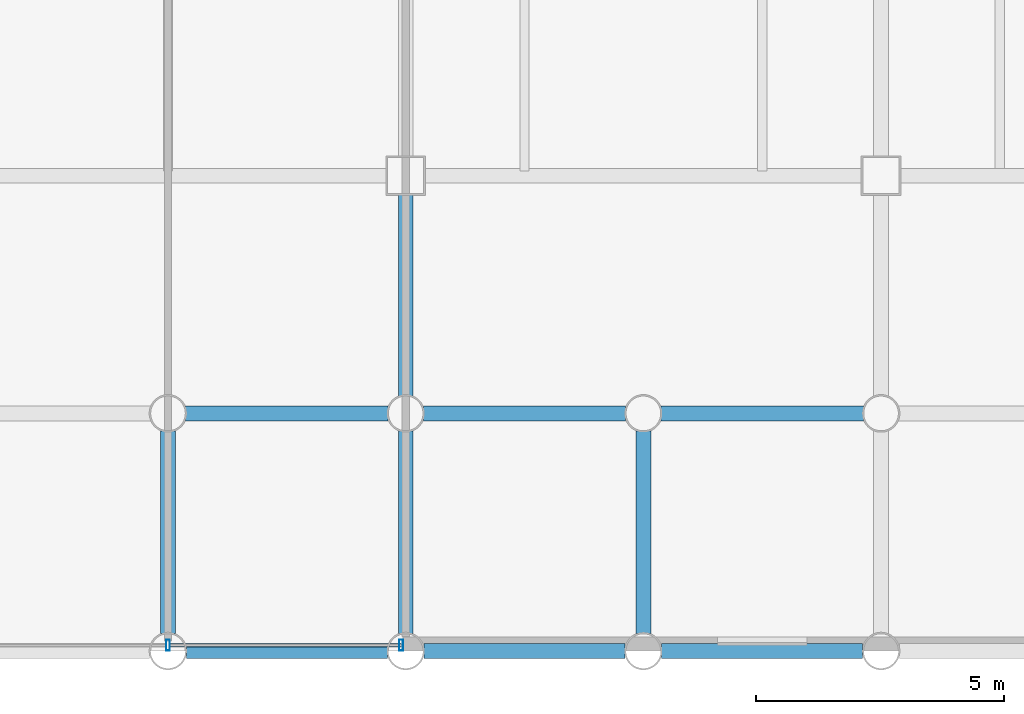
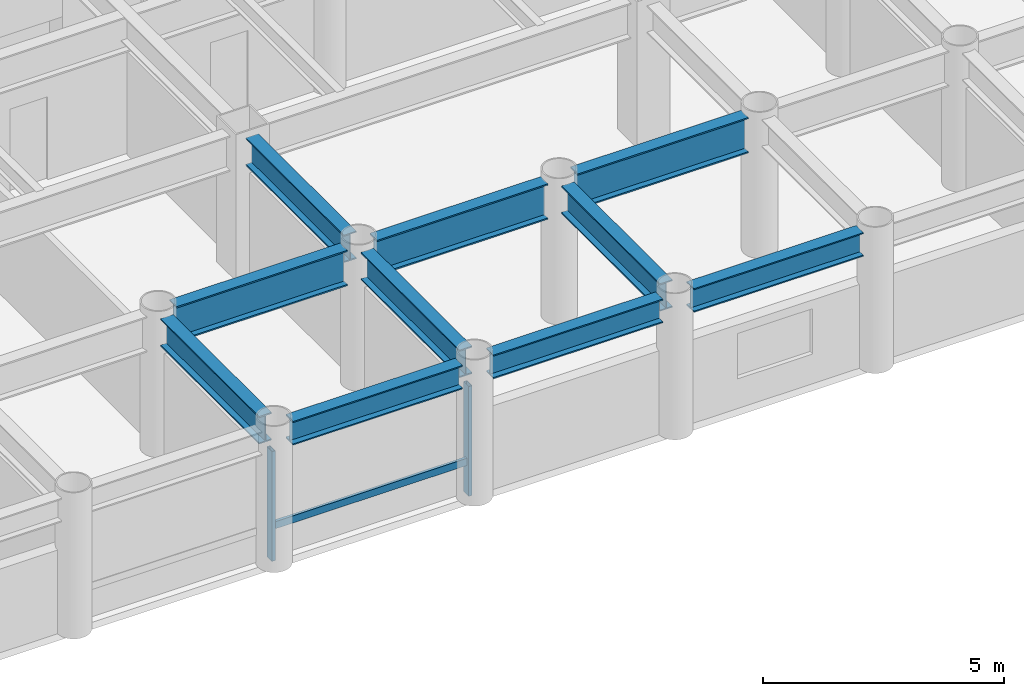
# One storey, part 6 of 21: 10 beams, 3 members, 1 element without a shape of its own.
"""IFC4 building model written with IfcOpenShell, lengths in metres."""

from ifc_helpers import new_model, si_unit, direction, frame, origin, origin_2d, place, context, subcontext, project, spatial, hollow_rectangle, i_section, extrude, material, layer, layer_set, material_profile, profile_set, type_object, element, aggregate, save


model = new_model("IFC4")

# Units and contexts
model_context = context("Model", 3, precision=1e-05, world=origin(), true_north=direction((0.0, 1.0)))
body_context = subcontext(model_context, "Body", "Model", "MODEL_VIEW")
ifc_project = project(units=[si_unit("LENGTHUNIT", "METRE"), si_unit("AREAUNIT", "SQUARE_METRE"), si_unit("VOLUMEUNIT", "CUBIC_METRE"), si_unit("PLANEANGLEUNIT", "RADIAN"), si_unit("MASSUNIT", "GRAM", prefix="KILO")], contexts=[model_context])

# Site, building, storey
site_placement = place(None, origin())
site = spatial("IfcSite", under=ifc_project, at=site_placement, CompositionType="ELEMENT")
building_placement = place(site_placement, origin())
building = spatial("IfcBuilding", under=site, at=building_placement, Name="Kallvorn Hotel Tower", CompositionType="ELEMENT")
storey_placement = place(building_placement, frame((0.0, 0.0, 52.199951171875)))
storey = spatial("IfcBuildingStorey", under=building, at=storey_placement, Name="L11", CompositionType="ELEMENT", Elevation=52.199951171875)

# Beams
ifc_material_1 = material(Name="Structural steel S355JR", Category="steel")
ifc_material_profile_1 = material_profile(ifc_material_1, i_section(OverallWidth=0.300048828125, OverallDepth=0.60009765625, WebThickness=0.015380859375, FlangeThickness=0.030029296875, at=origin_2d()), Name="HE 600 B")
ifc_profile_set_1 = profile_set([ifc_material_profile_1], Name="Structural steel S355JR")
beam_type_1 = type_object("IfcBeamType", Name="BM_HE600B", PredefinedType="SPANDREL", material=ifc_profile_set_1)
beam_1_placement = place(storey_placement, frame((0.37109375, -24.0, 3.219970703125), z_axis=(1.0, 0.0, 0.0), x_axis=(0.0, 1.0, 0.0)))
element("IfcBeam", 1, at=beam_1_placement, inside=storey, type_object=beam_type_1, Name="L12 Perimeter Spandrel 157", PredefinedType="SPANDREL", context=body_context, shape_type="SweptSolid", body=[
    extrude(i_section(OverallWidth=0.300048828125, OverallDepth=0.60009765625, WebThickness=0.015380859375, FlangeThickness=0.030029296875, at=origin_2d()), origin(), (0.0, 0.0, 1.0), 4.057861328125),
])
for number, where, z_axis, x_axis, name in (
    (2, (5.1708984375, -24.0, 3.219970703125), (1.0, 0.0, 0.0), (0.0, 1.0, 0.0), "L12 Perimeter Spandrel 158"),
    (3, (9.970947265625, -24.0, 3.219970703125), (1.0, 0.0, 0.0), (0.0, 1.0, 0.0), "L12 Perimeter Spandrel 159"),
):
    element("IfcBeam", number, at=place(storey_placement, frame(where, z_axis=z_axis, x_axis=x_axis)), inside=storey, type_object=beam_type_1, Name=name, PredefinedType="SPANDREL", context=body_context, shape_type="SweptSolid", body=[
        extrude(i_section(OverallWidth=0.300048828125, OverallDepth=0.60009765625, WebThickness=0.015380859375, FlangeThickness=0.030029296875, at=origin_2d()), origin(), (0.0, 0.0, 1.0), 4.05810546875),
    ])
ifc_material_2 = material(Name="Structural steel S355JR", Category="steel")
ifc_material_profile_2 = material_profile(ifc_material_2, i_section(OverallWidth=0.300048828125, OverallDepth=0.699951171875, WebThickness=0.01708984375, FlangeThickness=0.031982421875, at=origin_2d()), Name="HE 700 B")
ifc_profile_set_2 = profile_set([ifc_material_profile_2], Name="Structural steel S355JR")
beam_type_2 = type_object("IfcBeamType", Name="BM_HE700B", PredefinedType="BEAM", material=ifc_profile_set_2)
for number, where, z_axis, x_axis, name in (
    (4, (0.0, -23.64404296875, 3.170166015625), (0.0, 1.0, 0.0), (-1.0, 0.0, 0.0), "L12 Primary Y-Girder 111"),
    (5, (4.800048828125, -23.64404296875, 3.170166015625), (0.0, 1.0, 0.0), (-1.0, 0.0, 0.0), "L12 Primary Y-Girder 114"),
):
    element("IfcBeam", number, at=place(storey_placement, frame(where, z_axis=z_axis, x_axis=x_axis)), inside=storey, type_object=beam_type_2, Name=name, PredefinedType="BEAM", context=body_context, shape_type="SweptSolid", body=[
        extrude(i_section(OverallWidth=0.300048828125, OverallDepth=0.699951171875, WebThickness=0.01708984375, FlangeThickness=0.031982421875, at=origin_2d()), origin(), (0.0, 0.0, 1.0), 4.088134765625),
    ])
beam_2_placement = place(storey_placement, frame((4.800048828125, -18.843994140625, 3.170166015625), z_axis=(0.0, 1.0, 0.0), x_axis=(-1.0, 0.0, 0.0)))
element("IfcBeam", 6, at=beam_2_placement, inside=storey, type_object=beam_type_2, Name="L12 Primary Y-Girder 115", PredefinedType="BEAM", context=body_context, shape_type="SweptSolid", body=[
    extrude(i_section(OverallWidth=0.300048828125, OverallDepth=0.699951171875, WebThickness=0.01708984375, FlangeThickness=0.031982421875, at=origin_2d()), origin(), (0.0, 0.0, 1.0), 4.069091796875),
])
beam_3_placement = place(storey_placement, frame((9.60009765625, -23.64404296875, 3.170166015625), z_axis=(0.0, 1.0, 0.0), x_axis=(-1.0, 0.0, 0.0)))
element("IfcBeam", 7, at=beam_3_placement, inside=storey, type_object=beam_type_2, Name="L12 Primary Y-Girder 119", PredefinedType="BEAM", context=body_context, shape_type="SweptSolid", body=[
    extrude(i_section(OverallWidth=0.300048828125, OverallDepth=0.699951171875, WebThickness=0.01708984375, FlangeThickness=0.031982421875, at=origin_2d()), origin(), (0.0, 0.0, 1.0), 4.088134765625),
])
ifc_material_3 = material(Name="Structural steel S355JR", Category="steel")
ifc_material_profile_3 = material_profile(ifc_material_3, i_section(OverallWidth=0.300048828125, OverallDepth=0.89990234375, WebThickness=0.0185546875, FlangeThickness=0.034912109375, at=origin_2d()), Name="HE 900 B")
ifc_profile_set_3 = profile_set([ifc_material_profile_3], Name="Structural steel S355JR")
beam_type_3 = type_object("IfcBeamType", Name="BM_HE900B", PredefinedType="BEAM", material=ifc_profile_set_3)
beam_4_placement = place(storey_placement, frame((0.35595703125, -19.199951171875, 3.070068359375), z_axis=(1.0, 0.0, 0.0), x_axis=(0.0, 1.0, 0.0)))
element("IfcBeam", 8, at=beam_4_placement, inside=storey, type_object=beam_type_3, Name="L12 Primary X-Girder 08", PredefinedType="BEAM", context=body_context, shape_type="SweptSolid", body=[
    extrude(i_section(OverallWidth=0.300048828125, OverallDepth=0.89990234375, WebThickness=0.0185546875, FlangeThickness=0.034912109375, at=origin_2d()), origin(), (0.0, 0.0, 1.0), 4.088134765625),
])
for number, where, z_axis, x_axis, name in (
    (9, (5.156005859375, -19.199951171875, 3.070068359375), (1.0, 0.0, 0.0), (0.0, 1.0, 0.0), "L12 Primary X-Girder 09"),
    (10, (9.9560546875, -19.199951171875, 3.070068359375), (1.0, 0.0, 0.0), (0.0, 1.0, 0.0), "L12 Primary X-Girder 10"),
):
    element("IfcBeam", number, at=place(storey_placement, frame(where, z_axis=z_axis, x_axis=x_axis)), inside=storey, type_object=beam_type_3, Name=name, PredefinedType="BEAM", context=body_context, shape_type="SweptSolid", body=[
        extrude(i_section(OverallWidth=0.300048828125, OverallDepth=0.89990234375, WebThickness=0.0185546875, FlangeThickness=0.034912109375, at=origin_2d()), origin(), (0.0, 0.0, 1.0), 4.087890625),
    ])

# Curtain wall, members
ifc_material_4 = material(Name="Thermally broken black-anodised aluminium AA 6063-T6", Category="aluminium")
ifc_layer = layer(ifc_material_4, 0.199951171875)
ifc_layer_set = layer_set([ifc_layer], Name="CW_SYS_3_HOTEL_LOW")
curtain_wall_type = type_object("IfcCurtainWallType", Name="CW_SYS_3_HOTEL_LOW", PredefinedType="USERDEFINED", material=ifc_layer_set)
curtain_wall_placement = place(storey_placement, origin())
curtain_wall = element("IfcCurtainWall", 11, at=curtain_wall_placement, inside=storey, type_object=curtain_wall_type, Name="L11 Dark-Glass Curtain Wall CW-L11-SC", ObjectType="UNITISED CURTAIN WALL", PredefinedType="USERDEFINED")
ifc_material_5 = material(Name="Thermally broken black-anodised aluminium AA 6063-T6", Category="aluminium")
ifc_material_profile_4 = material_profile(ifc_material_5, hollow_rectangle(XDim=0.080078125, YDim=0.219970703125, WallThickness=0.0048828125, at=origin_2d()), Name="MUL 220x80")
ifc_profile_set_4 = profile_set([ifc_material_profile_4], Name="Thermally broken black-anodised aluminium AA 6063-T6")
member_type_1 = type_object("IfcMemberType", Name="CW_MULLION_220x80", PredefinedType="MULLION", material=ifc_profile_set_4)
member_1_placement = place(storey_placement, frame((0.0, -23.8798828125, 0.02001953125), z_axis=(0.0, 0.0, 1.0), x_axis=(1.0, 0.0, 0.0)))
member_1 = element("IfcMember", 12, at=member_1_placement, type_object=member_type_1, Name="CW-L11-SC Mullion 01", PredefinedType="MULLION", context=body_context, shape_type="SweptSolid", body=[
    extrude(hollow_rectangle(XDim=0.080078125, YDim=0.219970703125, WallThickness=0.0048828125, at=origin_2d()), origin(), (0.0, 0.0, 1.0), 2.780029296875),
])
member_2_placement = place(storey_placement, frame((4.7099609375, -23.8798828125, 0.02001953125), z_axis=(0.0, 0.0, 1.0), x_axis=(1.0, 0.0, 0.0)))
member_2 = element("IfcMember", 13, at=member_2_placement, type_object=member_type_1, Name="CW-L11-SC Mullion 02", PredefinedType="MULLION", context=body_context, shape_type="SweptSolid", body=[
    extrude(hollow_rectangle(XDim=0.080078125, YDim=0.219970703125, WallThickness=0.0048828125, at=origin_2d()), origin(), (0.0, 0.0, 1.0), 2.780029296875),
])
ifc_material_6 = material(Name="Thermally broken black-anodised aluminium AA 6063-T6", Category="aluminium")
ifc_material_profile_5 = material_profile(ifc_material_6, hollow_rectangle(XDim=0.070068359375, YDim=0.179931640625, WallThickness=0.00390625, at=origin_2d()), Name="TRN 180x70")
ifc_profile_set_5 = profile_set([ifc_material_profile_5], Name="Thermally broken black-anodised aluminium AA 6063-T6")
member_type_2 = type_object("IfcMemberType", Name="CW_TRANSOM_180x70", PredefinedType="USERDEFINED", material=ifc_profile_set_5)
member_3_placement = place(storey_placement, frame((0.0400390625, -23.8798828125, 0.85009765625), z_axis=(1.0, 0.0, 0.0), x_axis=(0.0, 1.0, 0.0)))
member_3 = element("IfcMember", 14, at=member_3_placement, type_object=member_type_2, Name="CW-L11-SC Transom 01M", ObjectType="TRANSOM", PredefinedType="USERDEFINED", context=body_context, shape_type="SweptSolid", body=[
    extrude(hollow_rectangle(XDim=0.070068359375, YDim=0.179931640625, WallThickness=0.00390625, at=origin_2d()), origin(), (0.0, 0.0, 1.0), 4.669921875),
])
aggregate(curtain_wall, [member_1, member_2, member_3])

save(model, "model.ifc")
